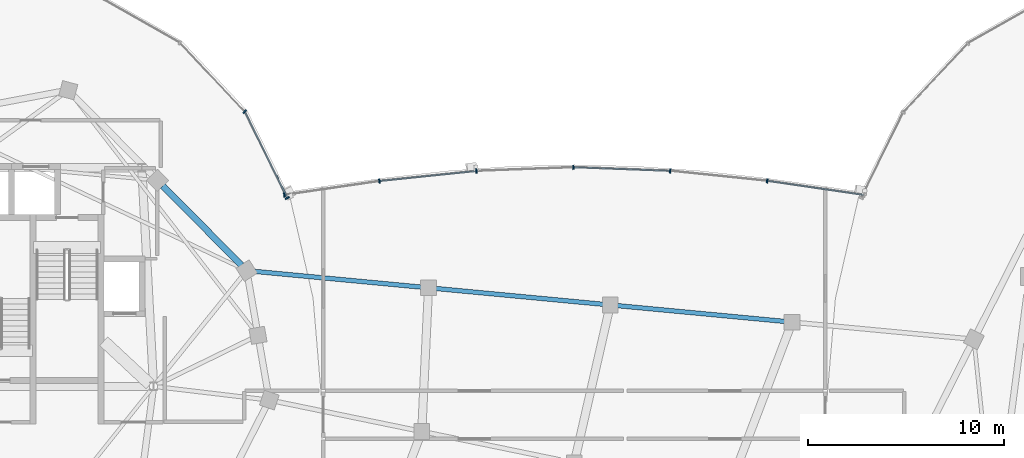
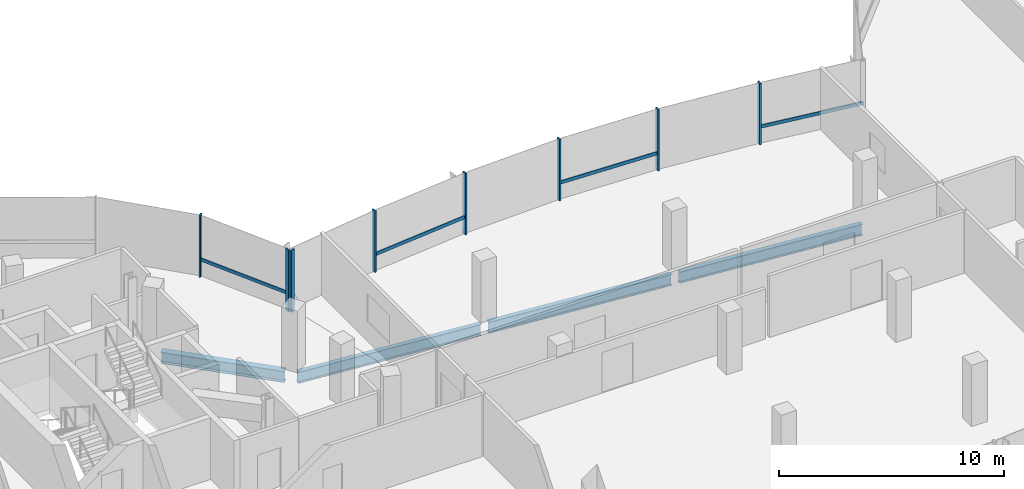
# One storey, part 7 of 25: 12 members, 4 beams, 2 elements without a shape of their own.
"""IFC4 building model written with IfcOpenShell, lengths in metres."""

from ifc_helpers import new_model, si_unit, direction, frame, origin, origin_2d, place, context, subcontext, project, spatial, rectangle, i_section, extrude, material, material_profile, profile_set, type_object, element, aggregate, save


model = new_model("IFC4")

# Units and contexts
model_context = context("Model", 3, precision=1e-05, world=origin(), true_north=direction((0.0, 1.0)))
body_context = subcontext(model_context, "Body", "Model", "MODEL_VIEW")
ifc_project = project(units=[si_unit("LENGTHUNIT", "METRE"), si_unit("AREAUNIT", "SQUARE_METRE"), si_unit("VOLUMEUNIT", "CUBIC_METRE"), si_unit("PLANEANGLEUNIT", "RADIAN"), si_unit("MASSUNIT", "GRAM", prefix="KILO"), si_unit("THERMODYNAMICTEMPERATUREUNIT", "KELVIN"), si_unit("POWERUNIT", "WATT")], contexts=[model_context])

# Site, building, storey
site_placement = place(None, origin())
site = spatial("IfcSite", under=ifc_project, at=site_placement, CompositionType="ELEMENT")
building_placement = place(site_placement, origin())
building = spatial("IfcBuilding", under=site, at=building_placement, Name="Cundina Bronze Exchange", CompositionType="ELEMENT")
storey_placement = place(building_placement, frame((0.0, 0.0, 272.0)))
storey = spatial("IfcBuildingStorey", under=building, at=storey_placement, Name="L72", CompositionType="ELEMENT", Elevation=272.0)

# Beams
ifc_material_1 = material(Name="Steel ASTM A992 Grade 50", Category="steel")
ifc_material_profile_1 = material_profile(ifc_material_1, i_section(OverallWidth=0.22998046875, OverallDepth=0.616943359375, WebThickness=0.01318359375, FlangeThickness=0.022216796875, FilletRadius=0.013916015625, at=origin_2d()), Name="W24X94", Category="steel")
ifc_profile_set_1 = profile_set([ifc_material_profile_1], Name="Steel ASTM A992 Grade 50")
beam_type_1 = type_object("IfcBeamType", Name="BM-FLR-W24B", PredefinedType="BEAM", material=ifc_profile_set_1)
beam_1_placement = place(storey_placement, frame((-16.520751953125, 9.783203125, -0.62841796875), z_axis=(0.995572136276, -0.094000646124, 0.0), x_axis=(0.094000646124, 0.995572136276, 0.0)))
element("IfcBeam", 1, at=beam_1_placement, inside=storey, type_object=beam_type_1, Name="L72 Sky-Gate Longitudinal Girder Y3-P1", PredefinedType="BEAM", context=body_context, shape_type="SweptSolid", body=[
    extrude(i_section(OverallWidth=0.22998046875, OverallDepth=0.616943359375, WebThickness=0.01318359375, FlangeThickness=0.022216796875, FilletRadius=0.013916015625, at=origin_2d()), origin(), (0.0, 0.0, 1.0), 8.949951171875),
])
beam_2_placement = place(storey_placement, frame((-7.251953125, 8.908203125, -0.62841796875), z_axis=(0.995571895232, -0.094003199007, 0.0), x_axis=(0.094003199007, 0.995571895232, 0.0)))
element("IfcBeam", 2, at=beam_2_placement, inside=storey, type_object=beam_type_1, Name="L72 Sky-Gate Longitudinal Girder Y3-P2", PredefinedType="BEAM", context=body_context, shape_type="SweptSolid", body=[
    extrude(i_section(OverallWidth=0.22998046875, OverallDepth=0.616943359375, WebThickness=0.01318359375, FlangeThickness=0.022216796875, FilletRadius=0.013916015625, at=origin_2d()), origin(), (0.0, 0.0, 1.0), 8.94970703125),
])
beam_3_placement = place(storey_placement, frame((2.0166015625, 8.033203125, -0.62841796875), z_axis=(0.995572136276, -0.094000646124, 0.0), x_axis=(0.094000646124, 0.995572136276, 0.0)))
element("IfcBeam", 3, at=beam_3_placement, inside=storey, type_object=beam_type_1, Name="L72 Sky-Gate Longitudinal Girder Y3-P3", PredefinedType="BEAM", context=body_context, shape_type="SweptSolid", body=[
    extrude(i_section(OverallWidth=0.22998046875, OverallDepth=0.616943359375, WebThickness=0.01318359375, FlangeThickness=0.022216796875, FilletRadius=0.013916015625, at=origin_2d()), origin(), (0.0, 0.0, 1.0), 8.949951171875),
])
ifc_material_profile_2 = material_profile(ifc_material_1, i_section(OverallWidth=0.324951171875, OverallDepth=0.615966796875, WebThickness=0.013916015625, FlangeThickness=0.021484375, FilletRadius=0.01611328125, at=origin_2d()), Name="W24X117", Category="steel")
ifc_profile_set_2 = profile_set([ifc_material_profile_2], Name="Steel ASTM A992 Grade 50")
beam_type_2 = type_object("IfcBeamType", Name="BM-RING-W24", PredefinedType="USERDEFINED", material=ifc_profile_set_2)
beam_4_placement = place(storey_placement, frame((-16.972900390625, 10.075927734375, -0.568115234375), z_axis=(-0.703237257446, 0.710955244541, 0.0), x_axis=(-0.710955244541, -0.703237257446, 0.0)))
element("IfcBeam", 4, at=beam_4_placement, inside=storey, type_object=beam_type_2, Name="L72 W Perimeter Ring Girder 02", ObjectType="GIRDER", PredefinedType="USERDEFINED", context=body_context, shape_type="SweptSolid", body=[
    extrude(i_section(OverallWidth=0.324951171875, OverallDepth=0.615966796875, WebThickness=0.013916015625, FlangeThickness=0.021484375, FilletRadius=0.01611328125, at=origin_2d()), origin(), (0.0, 0.0, 1.0), 5.69384765625),
])

# Curtain wall, members
ifc_material_2 = material(Name="Anodised Bronze Aluminium 6063-T6", Category="aluminium")
curtain_wall_type = type_object("IfcCurtainWallType", Name="CWS-SKG-BRG", PredefinedType="NOTDEFINED", material=ifc_material_2)
curtain_wall_1_placement = place(storey_placement, origin())
curtain_wall_1 = element("IfcCurtainWall", 5, at=curtain_wall_1_placement, inside=storey, type_object=curtain_wall_type, Name="L72 CW-06 Curtain Wall Run CWR-L72-W1", PredefinedType="NOTDEFINED")
ifc_material_profile_3 = material_profile(ifc_material_2, rectangle(XDim=0.074951171875, YDim=0.219970703125, at=origin_2d()), Name="AL75X220", Category="aluminium")
ifc_profile_set_3 = profile_set([ifc_material_profile_3], Name="Anodised Bronze Aluminium 6063-T6")
member_type_1 = type_object("IfcMemberType", Name="CWM-MUL-220", PredefinedType="MULLION", material=ifc_profile_set_3)
member_1_placement = place(storey_placement, frame((-14.630859375, 13.50390625, 0.0), z_axis=(0.0, 0.0, 1.0), x_axis=(-0.440566004113, 0.897720221461, 0.0)))
member_1 = element("IfcMember", 6, at=member_1_placement, type_object=member_type_1, Name="CW-06 Mullion 1", PredefinedType="MULLION", context=body_context, shape_type="SweptSolid", body=[
    extrude(rectangle(XDim=0.074951171875, YDim=0.219970703125, at=origin_2d()), origin(), (0.0, 0.0, 1.0), 3.340087890625),
])
member_2_placement = place(storey_placement, frame((-16.8037109375, 17.910400390625, 0.0), z_axis=(0.0, 0.0, 1.0), x_axis=(-0.684292606175, 0.729207535023, 0.0)))
member_2 = element("IfcMember", 7, at=member_2_placement, type_object=member_type_1, Name="CW-06 Mullion 2", PredefinedType="MULLION", context=body_context, shape_type="SweptSolid", body=[
    extrude(rectangle(XDim=0.074951171875, YDim=0.219970703125, at=origin_2d()), origin(), (0.0, 0.0, 1.0), 3.340087890625),
])

curtain_wall_2_placement = place(storey_placement, origin())
curtain_wall_2 = element("IfcCurtainWall", 8, at=curtain_wall_2_placement, inside=storey, type_object=curtain_wall_type, Name="L72 CW-06 Curtain Wall Run CWR-L72-BRGN", PredefinedType="NOTDEFINED")
member_3_placement = place(storey_placement, frame((9.83447265625, 14.378173828125, 0.0), z_axis=(0.0, 0.0, 1.0), x_axis=(-0.994666875153, 0.103139747302, 0.0)))
member_3 = element("IfcMember", 9, at=member_3_placement, type_object=member_type_1, Name="CW-06 Mullion 2", PredefinedType="MULLION", context=body_context, shape_type="SweptSolid", body=[
    extrude(rectangle(XDim=0.074951171875, YDim=0.219970703125, at=origin_2d()), origin(), (0.0, 0.0, 1.0), 3.330078125),
])
member_4_placement = place(storey_placement, frame((4.892578125, 14.88720703125, 0.0), z_axis=(0.0, 0.0, 1.0), x_axis=(-0.999302568116, 0.037341362551, 0.0)))
member_4 = element("IfcMember", 10, at=member_4_placement, type_object=member_type_1, Name="CW-06 Mullion 3", PredefinedType="MULLION", context=body_context, shape_type="SweptSolid", body=[
    extrude(rectangle(XDim=0.074951171875, YDim=0.219970703125, at=origin_2d()), origin(), (0.0, 0.0, 1.0), 3.330078125),
])
member_5_placement = place(storey_placement, frame((-0.047607421875, 15.068115234375, 0.0), z_axis=(0.0, 0.0, 1.0), x_axis=(-0.999302568116, -0.037341362551, 0.0)))
member_5 = element("IfcMember", 11, at=member_5_placement, type_object=member_type_1, Name="CW-06 Mullion 4", PredefinedType="MULLION", context=body_context, shape_type="SweptSolid", body=[
    extrude(rectangle(XDim=0.074951171875, YDim=0.219970703125, at=origin_2d()), origin(), (0.0, 0.0, 1.0), 3.330078125),
])
member_6_placement = place(storey_placement, frame((-4.98876953125, 14.88037109375, 0.0), z_axis=(0.0, 0.0, 1.0), x_axis=(-0.994666875153, -0.103139747302, 0.0)))
member_6 = element("IfcMember", 12, at=member_6_placement, type_object=member_type_1, Name="CW-06 Mullion 5", PredefinedType="MULLION", context=body_context, shape_type="SweptSolid", body=[
    extrude(rectangle(XDim=0.074951171875, YDim=0.219970703125, at=origin_2d()), origin(), (0.0, 0.0, 1.0), 3.330078125),
])
member_7_placement = place(storey_placement, frame((-9.93310546875, 14.36572265625, 0.0), z_axis=(0.0, 0.0, 1.0), x_axis=(-0.989525789069, -0.144356201001, 0.0)))
member_7 = element("IfcMember", 13, at=member_7_placement, type_object=member_type_1, Name="CW-06 Mullion 6", PredefinedType="MULLION", context=body_context, shape_type="SweptSolid", body=[
    extrude(rectangle(XDim=0.074951171875, YDim=0.219970703125, at=origin_2d()), origin(), (0.0, 0.0, 1.0), 3.330078125),
])
member_8_placement = place(storey_placement, frame((-14.779296875, 13.658935546875, 0.0), z_axis=(0.0, 0.0, 1.0), x_axis=(-0.989525789069, -0.144356201001, 0.0)))
member_8 = element("IfcMember", 14, at=member_8_placement, type_object=member_type_1, Name="CW-06 End Mullion", PredefinedType="MULLION", context=body_context, shape_type="SweptSolid", body=[
    extrude(rectangle(XDim=0.074951171875, YDim=0.219970703125, at=origin_2d()), origin(), (0.0, 0.0, 1.0), 3.330078125),
])

# Member
ifc_material_profile_4 = material_profile(ifc_material_2, rectangle(XDim=0.070068359375, YDim=0.179931640625, at=origin_2d()), Name="AL70X180", Category="aluminium")
ifc_profile_set_4 = profile_set([ifc_material_profile_4], Name="Anodised Bronze Aluminium 6063-T6")
member_type_2 = type_object("IfcMemberType", Name="CWM-TRN-180", PredefinedType="USERDEFINED", material=ifc_profile_set_4)
member_9_placement = place(storey_placement, frame((-14.64892578125, 13.541015625, 0.919921875), z_axis=(-0.440554408939, 0.897725911826, 0.0), x_axis=(-0.897725911826, -0.440554408939, 0.0)))
member_9 = element("IfcMember", 15, at=member_9_placement, type_object=member_type_2, Name="CW-06 Spandrel Transom 1", ObjectType="TRANSOM", PredefinedType="USERDEFINED", context=body_context, shape_type="SweptSolid", body=[
    extrude(rectangle(XDim=0.070068359375, YDim=0.179931640625, at=origin_2d()), origin(), (0.0, 0.0, 1.0), 4.848388671875),
])

aggregate(curtain_wall_1, [member_1, member_9, member_2])

member_10_placement = place(storey_placement, frame((14.738525390625, 13.664794921875, 0.919921875), z_axis=(-0.989531497997, 0.144317062302, 0.0), x_axis=(-0.144317062302, -0.989531497997, 0.0)))
member_10 = element("IfcMember", 16, at=member_10_placement, type_object=member_type_2, Name="CW-06 Spandrel Transom 1", ObjectType="TRANSOM", PredefinedType="USERDEFINED", context=body_context, shape_type="SweptSolid", body=[
    extrude(rectangle(XDim=0.070068359375, YDim=0.179931640625, at=origin_2d()), origin(), (0.0, 0.0, 1.0), 4.8974609375),
])

member_11_placement = place(storey_placement, frame((4.8515625, 14.888671875, 0.919921875), z_axis=(-0.999303683555, 0.037311500026, 0.0), x_axis=(-0.037311500026, -0.999303683555, 0.0)))
member_11 = element("IfcMember", 17, at=member_11_placement, type_object=member_type_2, Name="CW-06 Spandrel Transom 3", ObjectType="TRANSOM", PredefinedType="USERDEFINED", context=body_context, shape_type="SweptSolid", body=[
    extrude(rectangle(XDim=0.070068359375, YDim=0.179931640625, at=origin_2d()), origin(), (0.0, 0.0, 1.0), 4.8486328125),
])

member_12_placement = place(storey_placement, frame((-5.02978515625, 14.8759765625, 0.919921875), z_axis=(-0.994672497027, -0.103085516243, 0.0), x_axis=(0.103085516243, -0.994672497027, 0.0)))
member_12 = element("IfcMember", 18, at=member_12_placement, type_object=member_type_2, Name="CW-06 Spandrel Transom 5", ObjectType="TRANSOM", PredefinedType="USERDEFINED", context=body_context, shape_type="SweptSolid", body=[
    extrude(rectangle(XDim=0.070068359375, YDim=0.179931640625, at=origin_2d()), origin(), (0.0, 0.0, 1.0), 4.87158203125),
])

aggregate(curtain_wall_2, [member_10, member_3, member_4, member_11, member_5, member_6, member_12, member_7, member_8])

save(model, "model.ifc")
